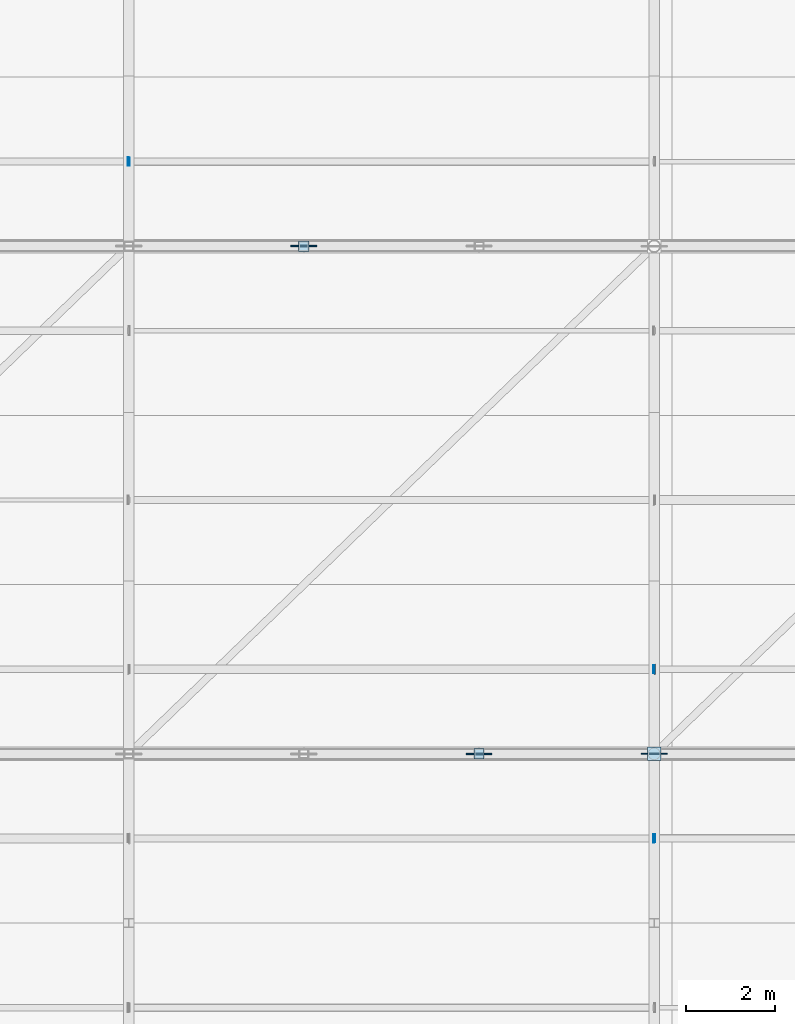
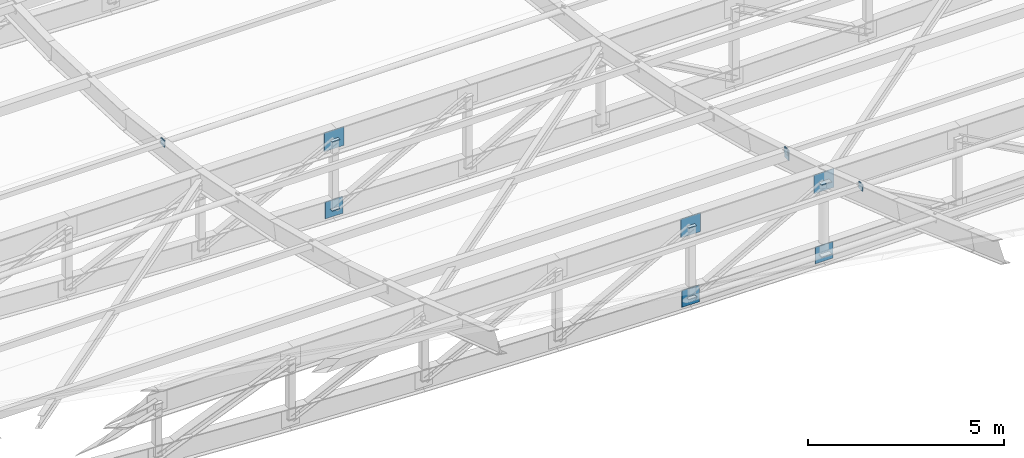
# One storey, part 45 of 65: 18 plates.
"""IFC4 building model written with IfcOpenShell, lengths in metres."""

from ifc_helpers import new_model, si_unit, direction, frame, origin, origin_2d, place, context, subcontext, project, spatial, rectangle, extrude, material, layer, layer_set, type_object, element, save


model = new_model("IFC4")

# Units and contexts
model_context = context("Model", 3, precision=1e-05, world=origin(), true_north=direction((0.0, 1.0)))
body_context = subcontext(model_context, "Body", "Model", "MODEL_VIEW")
ifc_project = project(units=[si_unit("LENGTHUNIT", "METRE"), si_unit("AREAUNIT", "SQUARE_METRE"), si_unit("VOLUMEUNIT", "CUBIC_METRE"), si_unit("PLANEANGLEUNIT", "RADIAN"), si_unit("MASSUNIT", "GRAM", prefix="KILO"), si_unit("POWERUNIT", "WATT"), si_unit("THERMODYNAMICTEMPERATUREUNIT", "KELVIN")], contexts=[model_context])

# Site, building, storey
site_placement = place(None, origin())
site = spatial("IfcSite", under=ifc_project, at=site_placement, CompositionType="ELEMENT")
building_placement = place(site_placement, origin())
building = spatial("IfcBuilding", under=site, at=building_placement, Name="Kelmbourne Parkland Aquatics Centre", CompositionType="ELEMENT")
storey_placement = place(building_placement, frame((0.0, 0.0, 27.0)))
storey = spatial("IfcBuildingStorey", under=building, at=storey_placement, Name="RF", CompositionType="ELEMENT", Elevation=27.0)

# Plates
ifc_material = material(Name="Welded plate steel AS/NZS 3678 Grade 350", Category="steel")
ifc_layer_1 = layer(ifc_material, 0.02001953125)
ifc_layer_set_1 = layer_set([ifc_layer_1], Name="Welded plate steel AS/NZS 3678 Grade 350")
plate_type_1 = type_object("IfcPlateType", Name="PL-CAP-20", PredefinedType="USERDEFINED", material=ifc_layer_set_1)
for number, where, z_axis, x_axis, name in (
    (1, (147.666748046875, 35.0, -11.7919921875), (0.0, 0.0, 1.0), (1.0, 0.0, 0.0), "Hollow end cap plate CAP-0103"),
    (2, (147.666748046875, 35.0, -9.567626953125), (0.0, 0.0, 1.0), (1.0, 0.0, 0.0), "Hollow end cap plate CAP-0104"),
    (3, (143.7333984375, 46.39990234375, -14.570556640625), (0.0, 0.0, 1.0), (1.0, 0.0, 0.0), "Hollow end cap plate CAP-0127"),
    (4, (143.7333984375, 46.39990234375, -12.4169921875), (0.0, 0.0, 1.0), (1.0, 0.0, 0.0), "Hollow end cap plate CAP-0128"),
):
    element("IfcPlate", number, at=place(storey_placement, frame(where, z_axis=z_axis, x_axis=x_axis)), inside=storey, type_object=plate_type_1, Name=name, ObjectType="END CAP PLATE", PredefinedType="USERDEFINED", context=body_context, shape_type="SweptSolid", body=[
        extrude(rectangle(XDim=0.22998046875, YDim=0.22998046875, at=origin_2d()), origin(), (0.0, 0.0, 1.0), 0.02001953125),
    ])
plate_1_placement = place(storey_placement, frame((151.60888671875, 33.10009765625, -8.6572265625), z_axis=(0.0, 0.0, 1.0), x_axis=(1.0, 0.0, 0.0)))
element("IfcPlate", 5, at=plate_1_placement, inside=storey, type_object=plate_type_1, Name="Hollow end cap plate CAP-0368", ObjectType="END CAP PLATE", PredefinedType="USERDEFINED", context=body_context, shape_type="SweptSolid", body=[
    extrude(rectangle(XDim=0.02001953125, YDim=0.179931640625, at=origin_2d()), origin(), (0.0, 0.0, 1.0), 0.179931640625),
])
plate_2_placement = place(storey_placement, frame((151.591064453125, 33.10009765625, -8.67529296875), z_axis=(0.0, 0.0, 1.0), x_axis=(-1.0, 0.0, 0.0)))
element("IfcPlate", 6, at=plate_2_placement, inside=storey, type_object=plate_type_1, Name="Hollow end cap plate CAP-0369", ObjectType="END CAP PLATE", PredefinedType="USERDEFINED", context=body_context, shape_type="SweptSolid", body=[
    extrude(rectangle(XDim=0.02001953125, YDim=0.1982421875, at=origin_2d()), origin(), (0.0, 0.0, 1.0), 0.1982421875),
])
for number, where, z_axis, x_axis, name in (
    (7, (151.591064453125, 36.89990234375, -9.8798828125), (0.0, 0.0, 1.0), (-1.0, 0.0, 0.0), "Hollow end cap plate CAP-0377"),
    (8, (139.80908203125, 48.300048828125, -12.37646484375), (0.0, 0.0, 1.0), (1.0, 0.0, 0.0), "Hollow end cap plate CAP-0398"),
):
    element("IfcPlate", number, at=place(storey_placement, frame(where, z_axis=z_axis, x_axis=x_axis)), inside=storey, type_object=plate_type_1, Name=name, ObjectType="END CAP PLATE", PredefinedType="USERDEFINED", context=body_context, shape_type="SweptSolid", body=[
        extrude(rectangle(XDim=0.02001953125, YDim=0.179931640625, at=origin_2d()), origin(), (0.0, 0.0, 1.0), 0.179931640625),
    ])
plate_3_placement = place(storey_placement, frame((139.791015625, 48.300048828125, -12.394775390625), z_axis=(0.0, 0.0, 1.0), x_axis=(-1.0, 0.0, 0.0)))
element("IfcPlate", 9, at=plate_3_placement, inside=storey, type_object=plate_type_1, Name="Hollow end cap plate CAP-0399", ObjectType="END CAP PLATE", PredefinedType="USERDEFINED", context=body_context, shape_type="SweptSolid", body=[
    extrude(rectangle(XDim=0.02001953125, YDim=0.1982421875, at=origin_2d()), origin(), (0.0, 0.0, 1.0), 0.1982421875),
])
ifc_layer_2 = layer(ifc_material, 0.02392578125)
ifc_layer_set_2 = layer_set([ifc_layer_2], Name="Welded plate steel AS/NZS 3678 Grade 350")
plate_type_2 = type_object("IfcPlateType", Name="PL-CAP-24", PredefinedType="USERDEFINED", material=ifc_layer_set_2)
for number, where, z_axis, x_axis, name in (
    (10, (151.60009765625, 35.0, -11.819580078125), (0.0, 0.0, 1.0), (1.0, 0.0, 0.0), "Hollow end cap plate CAP-0105"),
    (11, (151.60009765625, 35.0, -9.567626953125), (0.0, 0.0, 1.0), (1.0, 0.0, 0.0), "Hollow end cap plate CAP-0106"),
):
    element("IfcPlate", number, at=place(storey_placement, frame(where, z_axis=z_axis, x_axis=x_axis)), inside=storey, type_object=plate_type_2, Name=name, ObjectType="END CAP PLATE", PredefinedType="USERDEFINED", context=body_context, shape_type="SweptSolid", body=[
        extrude(rectangle(XDim=0.302978515625, YDim=0.302978515625, at=origin_2d()), origin(), (0.0, 0.0, 1.0), 0.02392578125),
    ])
plate_4_placement = place(storey_placement, frame((151.611083984375, 36.89990234375, -10.030029296875), z_axis=(0.0, 0.0, 1.0), x_axis=(1.0, 0.0, 0.0)))
element("IfcPlate", 12, at=plate_4_placement, inside=storey, type_object=plate_type_2, Name="Hollow end cap plate CAP-0376", ObjectType="END CAP PLATE", PredefinedType="USERDEFINED", context=body_context, shape_type="SweptSolid", body=[
    extrude(rectangle(XDim=0.02392578125, YDim=0.22998046875, at=origin_2d()), origin(), (0.0, 0.0, 1.0), 0.330078125),
])
ifc_layer_3 = layer(ifc_material, 0.02490234375)
ifc_layer_set_3 = layer_set([ifc_layer_3], Name="Welded plate steel AS/NZS 3678 Grade 350")
plate_type_3 = type_object("IfcPlateType", Name="PL-GUS-2", PredefinedType="USERDEFINED", material=ifc_layer_set_3)
plate_5_placement = place(storey_placement, frame((151.60009765625, 35.0, -9.856689453125), z_axis=(0.0, 0.0, 1.0), x_axis=(1.0, 0.0, 0.0)))
element("IfcPlate", 13, at=plate_5_placement, inside=storey, type_object=plate_type_3, Name="Truss top node TN-2 gusset plate R03-N6", ObjectType="GUSSET PLATE", PredefinedType="USERDEFINED", context=body_context, shape_type="SweptSolid", body=[
    extrude(rectangle(XDim=0.580078125, YDim=0.02490234375, at=origin_2d()), origin(), (0.0, 0.0, 1.0), 0.580078125),
])
plate_6_placement = place(storey_placement, frame((151.60009765625, 35.0, -12.056640625), z_axis=(0.0, 0.0, 1.0), x_axis=(1.0, 0.0, 0.0)))
element("IfcPlate", 14, at=plate_6_placement, inside=storey, type_object=plate_type_3, Name="Truss bottom node TN-2 gusset plate R03-B6", ObjectType="GUSSET PLATE", PredefinedType="USERDEFINED", context=body_context, shape_type="SweptSolid", body=[
    extrude(rectangle(XDim=0.52001953125, YDim=0.02490234375, at=origin_2d()), origin(), (0.0, 0.0, 1.0), 0.52001953125),
])
ifc_layer_4 = layer(ifc_material, 0.031982421875)
ifc_layer_set_4 = layer_set([ifc_layer_4], Name="Welded plate steel AS/NZS 3678 Grade 350")
plate_type_4 = type_object("IfcPlateType", Name="PL-GUS-3", PredefinedType="USERDEFINED", material=ifc_layer_set_4)
plate_7_placement = place(storey_placement, frame((147.666748046875, 35.0, -9.856689453125), z_axis=(0.0, 0.0, 1.0), x_axis=(1.0, 0.0, 0.0)))
element("IfcPlate", 15, at=plate_7_placement, inside=storey, type_object=plate_type_4, Name="Truss top node TN-3 gusset plate R03-N5", ObjectType="GUSSET PLATE", PredefinedType="USERDEFINED", context=body_context, shape_type="SweptSolid", body=[
    extrude(rectangle(XDim=0.580078125, YDim=0.031982421875, at=origin_2d()), origin(), (0.0, 0.0, 1.0), 0.580078125),
])
plate_8_placement = place(storey_placement, frame((147.666748046875, 35.0, -12.033203125), z_axis=(0.0, 0.0, 1.0), x_axis=(1.0, 0.0, 0.0)))
element("IfcPlate", 16, at=plate_8_placement, inside=storey, type_object=plate_type_4, Name="Truss bottom node TN-3 gusset plate R03-B5", ObjectType="GUSSET PLATE", PredefinedType="USERDEFINED", context=body_context, shape_type="SweptSolid", body=[
    extrude(rectangle(XDim=0.52001953125, YDim=0.031982421875, at=origin_2d()), origin(), (0.0, 0.0, 1.0), 0.52001953125),
])
plate_9_placement = place(storey_placement, frame((143.7333984375, 46.39990234375, -12.7060546875), z_axis=(0.0, 0.0, 1.0), x_axis=(1.0, 0.0, 0.0)))
element("IfcPlate", 17, at=plate_9_placement, inside=storey, type_object=plate_type_4, Name="Truss top node TN-3 gusset plate R04-N4", ObjectType="GUSSET PLATE", PredefinedType="USERDEFINED", context=body_context, shape_type="SweptSolid", body=[
    extrude(rectangle(XDim=0.580078125, YDim=0.031982421875, at=origin_2d()), origin(), (0.0, 0.0, 1.0), 0.580078125),
])
plate_10_placement = place(storey_placement, frame((143.7333984375, 46.39990234375, -14.8115234375), z_axis=(0.0, 0.0, 1.0), x_axis=(1.0, 0.0, 0.0)))
element("IfcPlate", 18, at=plate_10_placement, inside=storey, type_object=plate_type_4, Name="Truss bottom node TN-3 gusset plate R04-B4", ObjectType="GUSSET PLATE", PredefinedType="USERDEFINED", context=body_context, shape_type="SweptSolid", body=[
    extrude(rectangle(XDim=0.52001953125, YDim=0.031982421875, at=origin_2d()), origin(), (0.0, 0.0, 1.0), 0.52001953125),
])

save(model, "model.ifc")
